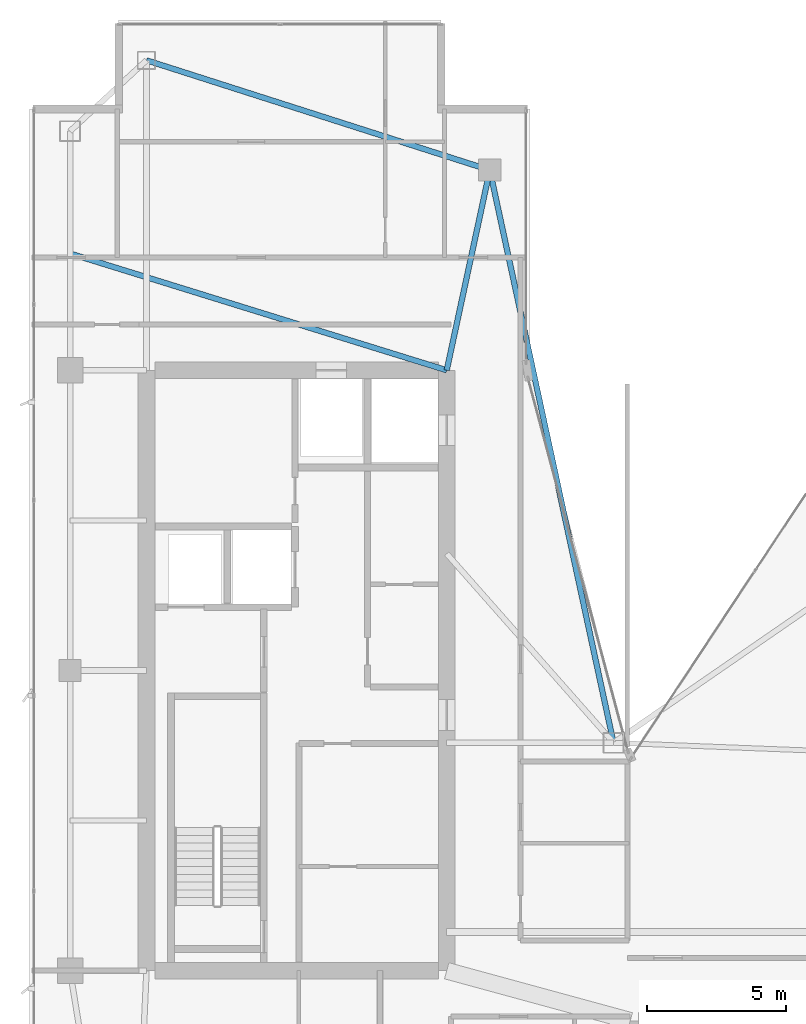
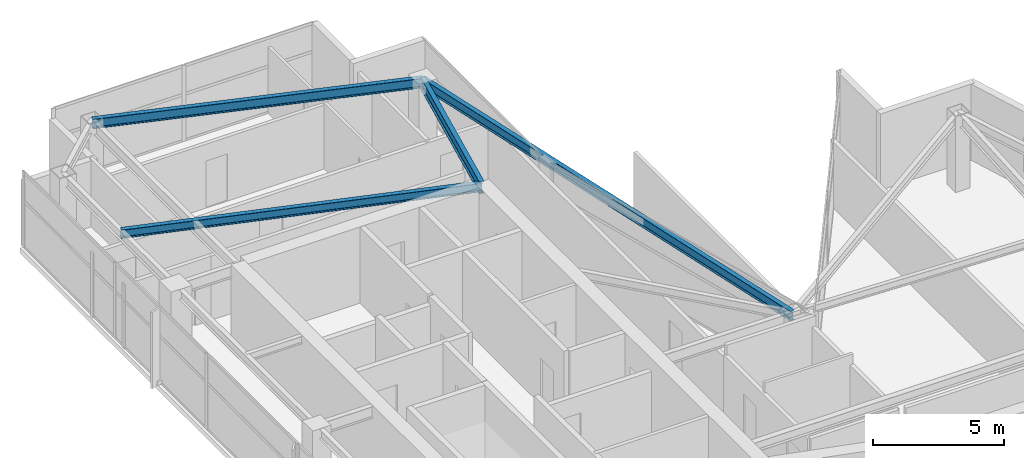
# One storey, part 18 of 28: 4 beams.
"""IFC4 building model written with IfcOpenShell, lengths in metres."""

import ifcopenshell
import ifcopenshell.guid

model = None  # the IFC model being written
_history = None  # IfcOwnerHistory: only IFC2X3 demands one
_inside = {}  # id of a spatial element -> (the spatial element, [elements in it])
_under = {}  # id of a project, library or spatial element -> (it, [spatial elements below it])
_declared = {}  # id of a project -> (the project, [libraries it declares])
_typed = {}  # id of a type object -> (the type object, [elements of that type])
_made_of = {}  # id of a material, layer set ... -> (it, [elements and type objects made of it])


def new_model(schema):
    """Start an empty IFC model of exactly this schema.

    Asked for "IFC4X3", IfcOpenShell would pick the latest addendum, in which some entities
    have other attributes; the version numbers below select the first issue.
    IFC2X3 requires an IfcOwnerHistory on every rooted entity: one is made here for all.
    """
    global model, _history
    if schema == "IFC4X3":
        model = ifcopenshell.file(schema_version=(4, 3, 0, 0))
    else:
        model = ifcopenshell.file(schema=schema)
    _inside.clear()
    _under.clear()
    _declared.clear()
    _typed.clear()
    _made_of.clear()
    _history = None
    if model.schema == "IFC2X3":
        org = make("IfcOrganization", Name="unknown")
        user = make(
            "IfcPersonAndOrganization",
            ThePerson=make("IfcPerson", FamilyName="unknown"),
            TheOrganization=org,
        )
        app = make(
            "IfcApplication",
            ApplicationDeveloper=org,
            Version="unknown",
            ApplicationFullName="unknown",
            ApplicationIdentifier="unknown",
        )
        _history = make(
            "IfcOwnerHistory",
            OwningUser=user,
            OwningApplication=app,
            ChangeAction="ADDED",
            CreationDate=0,
        )
    return model


def make(cls, **values):
    """One entity of the class cls with the attributes given. An attribute that is None is left unset."""
    return model.create_entity(
        cls, **{name: value for name, value in values.items() if value is not None}
    )


def rooted(cls, **values):
    """An entity with a GlobalId (a new one), such as an element, a storey or a relation."""
    return make(cls, GlobalId=ifcopenshell.guid.new(), OwnerHistory=_history, **values)


def si_unit(unit_type, name, prefix=None):
    """IfcSIUnit, for example si_unit("LENGTHUNIT", "METRE", prefix="MILLI")."""
    return make("IfcSIUnit", UnitType=unit_type, Prefix=prefix, Name=name)


def assignment(units):
    """IfcUnitAssignment: the units of a project."""
    return None if units is None else make("IfcUnitAssignment", Units=units)


def point(xyz):
    """IfcCartesianPoint."""
    return None if xyz is None else make("IfcCartesianPoint", Coordinates=xyz)


def direction(xyz):
    """IfcDirection."""
    return None if xyz is None else make("IfcDirection", DirectionRatios=xyz)


def frame(location, z_axis=None, x_axis=None):
    """IfcAxis2Placement3D, a coordinate frame: its origin and axes. An axis left out is left unset."""
    return make(
        "IfcAxis2Placement3D",
        Location=point(location),
        Axis=direction(z_axis),
        RefDirection=direction(x_axis),
    )


def frame_2d(location, x_axis=None):
    """IfcAxis2Placement2D, a coordinate frame in the plane: its origin and x axis."""
    return make(
        "IfcAxis2Placement2D", Location=point(location), RefDirection=direction(x_axis)
    )


def origin():
    """The frame at (0, 0, 0) with its axes left unset."""
    return frame((0.0, 0.0, 0.0))


def origin_2d():
    """The frame at (0, 0) in the plane with its x axis left unset."""
    return frame_2d((0.0, 0.0))


def place(relative_to, where):
    """IfcLocalPlacement: puts the frame where relative to a parent placement (None: the world)."""
    return make(
        "IfcLocalPlacement", PlacementRelTo=relative_to, RelativePlacement=where
    )


def context(
    kind, dimensions, precision=None, world=None, true_north=None, identifier=None
):
    """IfcGeometricRepresentationContext, for example the 3D "Model" context."""
    return make(
        "IfcGeometricRepresentationContext",
        ContextIdentifier=identifier,
        ContextType=kind,
        CoordinateSpaceDimension=dimensions,
        Precision=precision,
        WorldCoordinateSystem=world,
        TrueNorth=true_north,
    )


def subcontext(parent, identifier, kind, view, scale=None):
    """IfcGeometricRepresentationSubContext, for example "Body" below "Model"."""
    return make(
        "IfcGeometricRepresentationSubContext",
        ContextIdentifier=identifier,
        ContextType=kind,
        ParentContext=parent,
        TargetScale=scale,
        TargetView=view,
    )


def project(units=None, contexts=None):
    """IfcProject with its units and contexts."""
    return rooted(
        "IfcProject",
        Name="project",
        RepresentationContexts=contexts,
        UnitsInContext=assignment(units),
    )


def spatial(cls, under=None, at=None, **own):
    """A site, building, storey or space (cls), placed at a placement, below another one or the project."""
    s = rooted(cls, ObjectPlacement=at, **own)
    if under is not None:
        _under.setdefault(under.id(), (under, []))[1].append(s)
    return s


def profile(cls, at=None, kind="AREA", **sizes):
    """A parametric profile (cls). Its sizes go by their IFC names, for example OverallWidth=200.0."""
    return make(cls, ProfileType=kind, Position=at, **sizes)


def i_section(**sizes):
    """IfcIShapeProfileDef."""
    return profile("IfcIShapeProfileDef", **sizes)


def extrude(swept, where, along, depth):
    """IfcExtrudedAreaSolid: the profile swept, set in the frame where, extruded along a direction by depth."""
    return make(
        "IfcExtrudedAreaSolid",
        SweptArea=swept,
        Position=where,
        ExtrudedDirection=direction(along),
        Depth=depth,
    )


def shape(context_of_items, identifier, shape_type, items):
    """IfcShapeRepresentation: the items that make up one representation, for example the "Body"."""
    return make(
        "IfcShapeRepresentation",
        ContextOfItems=context_of_items,
        RepresentationIdentifier=identifier,
        RepresentationType=shape_type,
        Items=items,
    )


def material(Name=None, Category=None):
    """IfcMaterial."""
    return make("IfcMaterial", Name=Name, Category=Category)


def material_profile(
    of_material, cross_section, Name=None, Category=None, Priority=None
):
    """IfcMaterialProfile: a cross section and its material."""
    return make(
        "IfcMaterialProfile",
        Name=Name,
        Material=of_material,
        Profile=cross_section,
        Priority=Priority,
        Category=Category,
    )


def profile_set(profiles, Name=None, composite=None):
    """IfcMaterialProfileSet."""
    return make(
        "IfcMaterialProfileSet",
        Name=Name,
        MaterialProfiles=profiles,
        CompositeProfile=composite,
    )


def made_of(thing, what):
    """Note that an element or type object is made of a material, layer set ...; save() writes the relation."""
    if what is not None:
        _made_of.setdefault(what.id(), (what, []))[1].append(thing)
    return thing


def type_object(cls, material=None, **own):
    """A type object (cls), such as IfcWallType, which elements share."""
    return made_of(rooted(cls, **own), material)


def element(
    cls,
    number,
    at=None,
    inside=None,
    cuts=None,
    type_object=None,
    material=None,
    context=None,
    identifier="Body",
    shape_type=None,
    held_by="IfcProductDefinitionShape",
    body=None,
    shapes=None,
    **own,
):
    """One element of the class cls, such as IfcWall. Its Tag is "e" and its number.

    at: its placement. inside: the storey or other place that contains it. cuts: it is an
    opening in that element (IfcRelVoidsElement). A single representation is given by context,
    identifier, shape_type and body (its items); several are given by shapes. held_by: the class
    of the entity that holds the representations. save() writes the other relations.
    """
    e = rooted(cls, Tag="e%d" % number, ObjectPlacement=at, **own)
    if body is not None:
        shapes = [shape(context, identifier, shape_type, body)]
    if shapes is not None:
        e.Representation = make(held_by, Representations=shapes)
    if inside is not None:
        _inside.setdefault(inside.id(), (inside, []))[1].append(e)
    if cuts is not None:
        rooted(
            "IfcRelVoidsElement", RelatingBuildingElement=cuts, RelatedOpeningElement=e
        )
    if type_object is not None:
        _typed.setdefault(type_object.id(), (type_object, []))[1].append(e)
    return made_of(e, material)


def aggregate(whole, parts):
    """IfcRelAggregates: a whole, such as a stair, and the parts it consists of."""
    return rooted("IfcRelAggregates", RelatingObject=whole, RelatedObjects=parts)


def save(model, path):
    """Write the relations noted so far, then the file.

    IfcRelAggregates (storeys below a building ...), IfcRelContainedInSpatialStructure (elements
    in a storey), IfcRelDefinesByType, IfcRelAssociatesMaterial and IfcRelDeclares: one each for
    every whole, place, type object, material and project.
    """
    for whole, parts in _under.values():
        aggregate(whole, parts)
    for where, things in _inside.values():
        rooted(
            "IfcRelContainedInSpatialStructure",
            RelatedElements=things,
            RelatingStructure=where,
        )
    for kind, things in _typed.values():
        rooted("IfcRelDefinesByType", RelatedObjects=things, RelatingType=kind)
    for what, things in _made_of.values():
        rooted("IfcRelAssociatesMaterial", RelatedObjects=things, RelatingMaterial=what)
    for by, libraries in _declared.values():
        rooted("IfcRelDeclares", RelatingContext=by, RelatedDefinitions=libraries)
    model.write(path)


model = new_model("IFC4")

# Units and contexts
model_context = context("Model", 3, precision=1e-05, world=origin(), true_north=direction((0.0, 1.0)))
body_context = subcontext(model_context, "Body", "Model", "MODEL_VIEW")
ifc_project = project(units=[si_unit("LENGTHUNIT", "METRE"), si_unit("AREAUNIT", "SQUARE_METRE"), si_unit("VOLUMEUNIT", "CUBIC_METRE"), si_unit("PLANEANGLEUNIT", "RADIAN"), si_unit("MASSUNIT", "GRAM", prefix="KILO")], contexts=[model_context])

# Site, building, storey
site_placement = place(None, origin())
site = spatial("IfcSite", under=ifc_project, at=site_placement, CompositionType="ELEMENT")
building_placement = place(site_placement, origin())
building = spatial("IfcBuilding", under=site, at=building_placement, Name="Calvorn Quay Hotel", CompositionType="ELEMENT")
storey_placement = place(building_placement, frame((0.0, 0.0, 271.10009765625)))
storey = spatial("IfcBuildingStorey", under=building, at=storey_placement, Name="L67", CompositionType="ELEMENT", Elevation=271.10009765625)

# Beams
ifc_material_1 = material(Name="Steel Q355B", Category="steel")
ifc_material_profile_1 = material_profile(ifc_material_1, i_section(OverallWidth=0.199951171875, OverallDepth=0.550048828125, WebThickness=0.010009765625, FlangeThickness=0.01611328125, FilletRadius=0.01806640625, at=origin_2d()), Name="HN550x200x10x16")
ifc_profile_set_1 = profile_set([ifc_material_profile_1], Name="Steel Q355B")
beam_type_1 = type_object("IfcBeamType", Name="BM-GIRD-UPP", PredefinedType="BEAM", material=ifc_profile_set_1)
beam_1_placement = place(storey_placement, frame((16.550048828125, 45.60009765625, 3.264892578125), z_axis=(-0.210457140491, -0.97760308511, 0.0), x_axis=(0.97760308511, -0.210457140491, 0.0)))
element("IfcBeam", 1, at=beam_1_placement, inside=storey, type_object=beam_type_1, Name="Beam BG-L67-W6", PredefinedType="BEAM", context=body_context, shape_type="SweptSolid", body=[
    extrude(i_section(OverallWidth=0.199951171875, OverallDepth=0.550048828125, WebThickness=0.010009765625, FlangeThickness=0.01611328125, FilletRadius=0.01806640625, at=origin_2d()), origin(), (0.0, 0.0, 1.0), 7.365234375),
])
ifc_material_2 = material(Name="Steel Q355B", Category="steel")
ifc_material_profile_2 = material_profile(ifc_material_2, i_section(OverallWidth=0.199951171875, OverallDepth=0.39990234375, WebThickness=0.008056640625, FlangeThickness=0.012939453125, FilletRadius=0.01611328125, at=origin_2d()), Name="HN400x200x8x13")
ifc_profile_set_2 = profile_set([ifc_material_profile_2], Name="Steel Q355B")
beam_type_2 = type_object("IfcBeamType", Name="BM-JOIST-TYP", PredefinedType="JOIST", material=ifc_profile_set_2)
beam_2_placement = place(storey_placement, frame((1.449951171875, 42.60009765625, 3.33984375), z_axis=(0.955163702122, -0.296078202759, 0.0), x_axis=(0.296078202759, 0.955163702122, 0.0)))
element("IfcBeam", 2, at=beam_2_placement, inside=storey, type_object=beam_type_2, Name="Beam BJ-L67-W2", PredefinedType="JOIST", context=body_context, shape_type="SweptSolid", body=[
    extrude(i_section(OverallWidth=0.199951171875, OverallDepth=0.39990234375, WebThickness=0.008056640625, FlangeThickness=0.012939453125, FilletRadius=0.01611328125, at=origin_2d()), origin(), (0.0, 0.0, 1.0), 14.18603515625),
])
ifc_material_3 = material(Name="Steel Q355B", Category="steel")
ifc_material_profile_3 = material_profile(ifc_material_3, i_section(OverallWidth=0.199951171875, OverallDepth=0.449951171875, WebThickness=0.009033203125, FlangeThickness=0.013916015625, FilletRadius=0.01611328125, at=origin_2d()), Name="HN450x200x9x14")
ifc_profile_set_3 = profile_set([ifc_material_profile_3], Name="Steel Q355B")
beam_type_3 = type_object("IfcBeamType", Name="BM-SPANDREL-Z3", PredefinedType="SPANDREL", material=ifc_profile_set_3)
beam_3_placement = place(storey_placement, frame((4.199951171875, 49.550048828125, 3.31494140625), z_axis=(0.952470702374, -0.304630203885, 0.0), x_axis=(0.304630203885, 0.952470702374, 0.0)))
element("IfcBeam", 3, at=beam_3_placement, inside=storey, type_object=beam_type_3, Name="Beam BSP-L67-W6", PredefinedType="SPANDREL", context=body_context, shape_type="SweptSolid", body=[
    extrude(i_section(OverallWidth=0.199951171875, OverallDepth=0.449951171875, WebThickness=0.009033203125, FlangeThickness=0.013916015625, FilletRadius=0.01611328125, at=origin_2d()), origin(), (0.0, 0.0, 1.0), 12.96630859375),
])
beam_4_placement = place(storey_placement, frame((16.550048828125, 45.60009765625, 3.31494140625), z_axis=(0.211145848376, -0.977454567084, 0.0), x_axis=(0.977454567084, 0.211145848376, 0.0)))
element("IfcBeam", 4, at=beam_4_placement, inside=storey, type_object=beam_type_3, Name="Beam BSP-L67-W7", PredefinedType="SPANDREL", context=body_context, shape_type="SweptSolid", body=[
    extrude(i_section(OverallWidth=0.199951171875, OverallDepth=0.449951171875, WebThickness=0.009033203125, FlangeThickness=0.013916015625, FilletRadius=0.01611328125, at=origin_2d()), origin(), (0.0, 0.0, 1.0), 21.0751953125),
])

save(model, "model.ifc")
